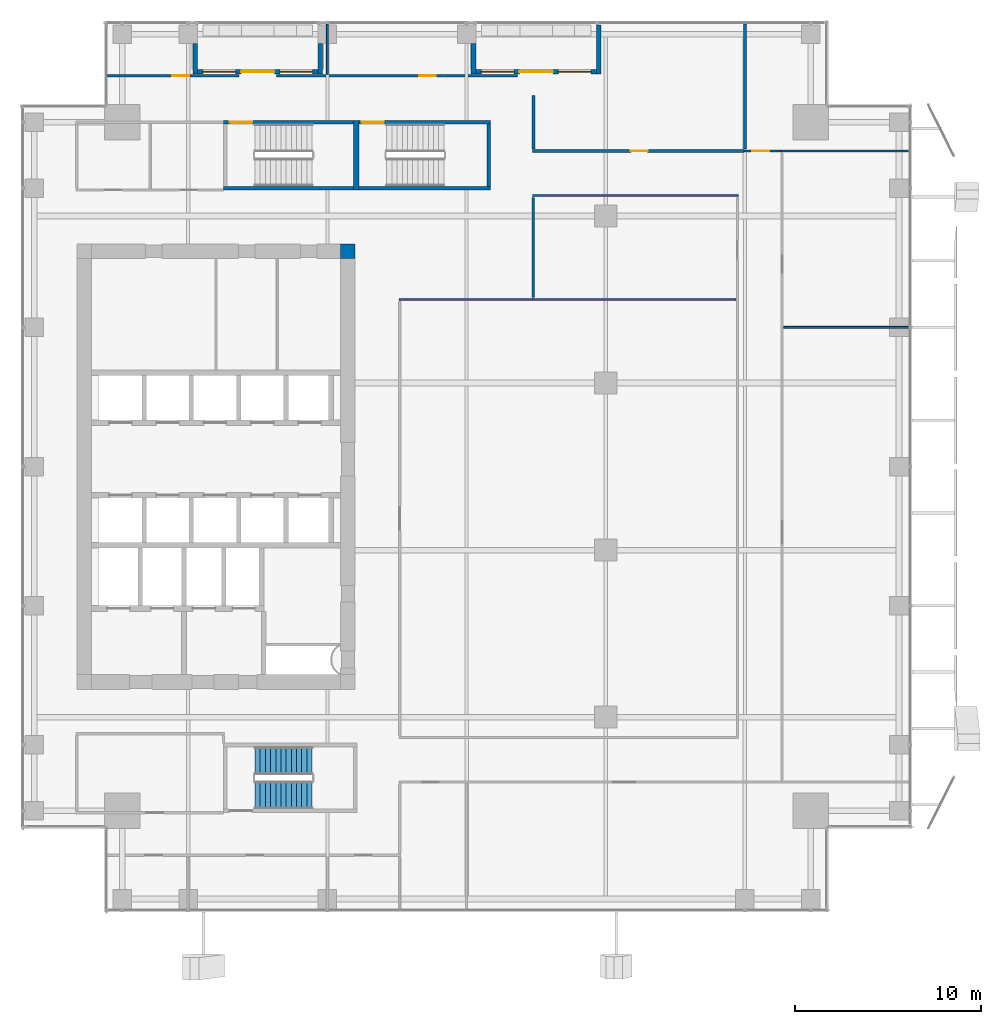
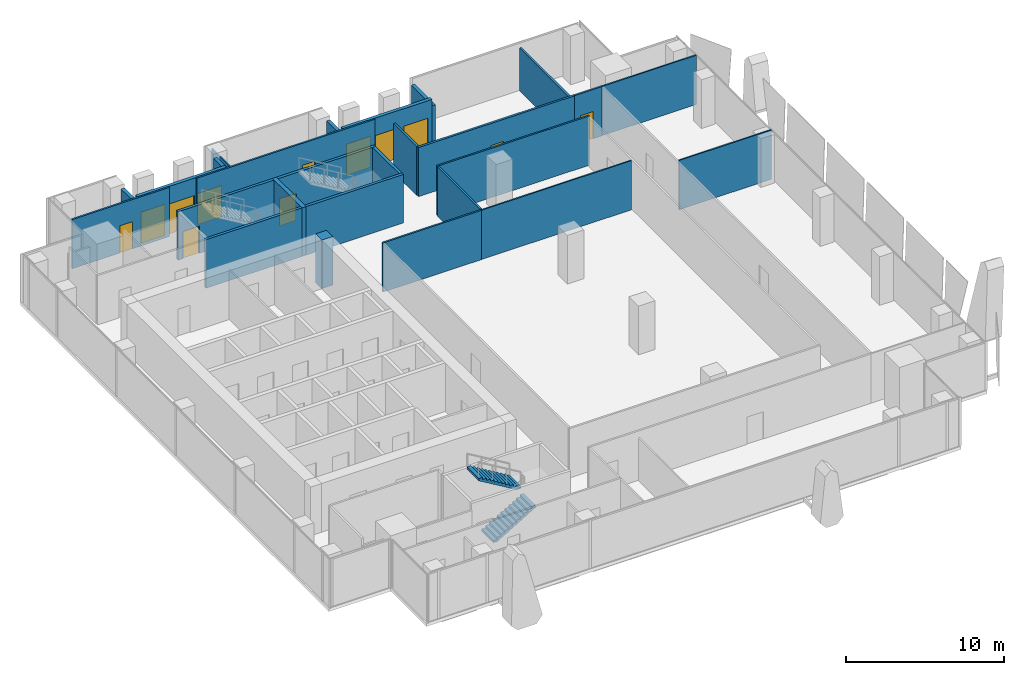
# One storey, part 34 of 38: 26 walls, 8 doors, 4 windows, 2 stair flights, 12 openings, 1 element without a shape of its own.
"""IFC4 building model written with IfcOpenShell, lengths in metres."""

from ifc_helpers import new_model, si_unit, direction, frame, frame_2d, origin, place, context, subcontext, project, spatial, polyline, rectangle, outline, extrude, source, transform, mapped, material, layer, layer_set, type_object, element, fill, aggregate, save


model = new_model("IFC4")

# Units and contexts
model_context = context("Model", 3, precision=1e-05, world=origin(), true_north=direction((0.0, 1.0)))
body_context = subcontext(model_context, "Body", "Model", "MODEL_VIEW")
ifc_project = project(units=[si_unit("LENGTHUNIT", "METRE"), si_unit("AREAUNIT", "SQUARE_METRE"), si_unit("VOLUMEUNIT", "CUBIC_METRE"), si_unit("PLANEANGLEUNIT", "RADIAN"), si_unit("MASSUNIT", "GRAM", prefix="KILO")], contexts=[model_context])

# Site, building, storey
site_placement = place(None, origin())
site = spatial("IfcSite", under=ifc_project, at=site_placement, CompositionType="ELEMENT")
building_placement = place(site_placement, origin())
building = spatial("IfcBuilding", under=site, at=building_placement, Name="Khomas Fold Tower", CompositionType="ELEMENT")
storey_placement = place(building_placement, frame((0.0, 0.0, 208.699951171875)))
storey = spatial("IfcBuildingStorey", under=building, at=storey_placement, Name="L46", CompositionType="ELEMENT", Elevation=208.699951171875)

# Wall
ifc_material_1 = material(Name="Concrete C60/75", Category="concrete")
ifc_layer_1 = layer(ifc_material_1, 0.800048828125)
ifc_layer_set_1 = layer_set([ifc_layer_1], Name="Concrete C60/75")
wall_type_1 = type_object("IfcWallType", Name="Core corner wall 800", PredefinedType="SHEAR", material=ifc_layer_set_1)
shared_shape_1 = source(origin(), body_context, "Body", "SweptSolid", [
    extrude(rectangle(XDim=0.800048828125, YDim=0.800048828125, at=frame_2d((0.39990234375, 0.0))), origin(), (0.0, 0.0, 1.0), 3.75),
])
wall_1_placement = place(storey_placement, frame((20.199951171875, 38.60009765625, 0.0), z_axis=(0.0, 0.0, 1.0), x_axis=(1.0, 0.0, 0.0)))
element("IfcWall", 1, at=wall_1_placement, inside=storey, type_object=wall_type_1, Name="Core wall CW-U-NE-L35", PredefinedType="SHEAR", context=body_context, shape_type="MappedRepresentation", body=[
    mapped(shared_shape_1, transform((0.0, 0.0, 0.0))),
])

# Wall, opening, door
ifc_material_2 = material(Name="Concrete C50/60", Category="concrete")
ifc_layer_2 = layer(ifc_material_2, 0.199951171875)
ifc_layer_set_2 = layer_set([ifc_layer_2], Name="Concrete C50/60")
wall_type_2 = type_object("IfcWallType", Name="Stair wall 200", PredefinedType="SHEAR", material=ifc_layer_set_2)
shared_shape_2 = source(origin(), body_context, "Body", "SweptSolid", [
    extrude(rectangle(XDim=7.0, YDim=0.199951171875, at=frame_2d((3.5, 0.0))), origin(), (0.0, 0.0, 1.0), 3.75),
])
wall_2_placement = place(storey_placement, frame((13.89990234375, 45.550048828125, 0.0), z_axis=(0.0, 0.0, 1.0), x_axis=(1.0, 0.0, 0.0)))
wall_2 = element("IfcWall", 2, at=wall_2_placement, inside=storey, type_object=wall_type_2, Name="Stair wall SW-ST1-N", PredefinedType="SHEAR", context=body_context, shape_type="MappedRepresentation", body=[
    mapped(shared_shape_2, transform((0.0, 0.0, 0.0))),
])
shared_shape_3 = source(origin(), body_context, "Body", "SweptSolid", [
    extrude(rectangle(XDim=1.199951171875, YDim=2.10009765625, at=frame_2d((0.60009765625, 1.050048828125))), frame((0.0, 0.10986328125, 0.0), z_axis=(0.0, -1.0, 0.0), x_axis=(1.0, 0.0, 0.0)), (0.0, 0.0, 1.0), 0.219970703125),
])
opening_1_placement = place(wall_2_placement, frame((0.35009765625, 0.0, 0.0)))
opening_1 = element("IfcOpeningElement", 3, at=opening_1_placement, cuts=wall_2, Name="Opening SD-ST1", PredefinedType="OPENING", context=body_context, shape_type="MappedRepresentation", body=[
    mapped(shared_shape_3, transform((0.0, 0.0, 0.0))),
])
ifc_material_3 = material(Name="Steel door leaf", Category="steel")
door_type_1 = type_object("IfcDoorType", Name="Stair door 1200x2100 left-hand", OperationType="SINGLE_SWING_LEFT", PredefinedType="DOOR", material=ifc_material_3)
shared_shape_4 = source(origin(), body_context, "Body", "SweptSolid", [
    extrude(rectangle(XDim=1.199951171875, YDim=2.10009765625, at=frame_2d((0.60009765625, 1.050048828125))), frame((0.0, 0.02490234375, 0.0), z_axis=(0.0, -1.0, 0.0), x_axis=(1.0, 0.0, 0.0)), (0.0, 0.0, 1.0), 0.050048828125),
])
door_1_placement = place(opening_1_placement, origin())
door_1 = element("IfcDoor", 4, at=door_1_placement, inside=storey, type_object=door_type_1, Name="Stair door", OperationType="SINGLE_SWING_LEFT", OverallHeight=2.10009765625, OverallWidth=1.199951171875, PredefinedType="DOOR", context=body_context, shape_type="MappedRepresentation", body=[
    mapped(shared_shape_4, transform((0.0, 0.0, 0.0))),
])
fill(opening_1, door_1)

# Wall
wall_3_placement = place(storey_placement, frame((13.89990234375, 42.0, 0.0), z_axis=(0.0, 0.0, 1.0), x_axis=(1.0, 0.0, 0.0)))
element("IfcWall", 5, at=wall_3_placement, inside=storey, type_object=wall_type_2, Name="Stair wall SW-ST1-S", PredefinedType="SHEAR", context=body_context, shape_type="MappedRepresentation", body=[
    mapped(shared_shape_2, transform((0.0, 0.0, 0.0))),
])

# Wall, opening, door
shared_shape_5 = source(origin(), body_context, "Body", "SweptSolid", [
    extrude(rectangle(XDim=7.10009765625, YDim=0.199951171875, at=frame_2d((3.550048828125, 0.0))), origin(), (0.0, 0.0, 1.0), 3.75),
])
wall_4_placement = place(storey_placement, frame((21.199951171875, 45.550048828125, 0.0), z_axis=(0.0, 0.0, 1.0), x_axis=(1.0, 0.0, 0.0)))
wall_4 = element("IfcWall", 6, at=wall_4_placement, inside=storey, type_object=wall_type_2, Name="Stair wall SW-ST3-N", PredefinedType="SHEAR", context=body_context, shape_type="MappedRepresentation", body=[
    mapped(shared_shape_5, transform((0.0, 0.0, 0.0))),
])
opening_2_placement = place(wall_4_placement, frame((0.14990234375, 0.0, 0.0)))
opening_2 = element("IfcOpeningElement", 7, at=opening_2_placement, cuts=wall_4, Name="Opening SD-ST3", PredefinedType="OPENING", context=body_context, shape_type="MappedRepresentation", body=[
    mapped(shared_shape_3, transform((0.0, 0.0, 0.0))),
])
door_2_placement = place(opening_2_placement, origin())
door_2 = element("IfcDoor", 8, at=door_2_placement, inside=storey, type_object=door_type_1, Name="Stair door", OperationType="SINGLE_SWING_LEFT", OverallHeight=2.10009765625, OverallWidth=1.199951171875, PredefinedType="DOOR", context=body_context, shape_type="MappedRepresentation", body=[
    mapped(shared_shape_4, transform((0.0, 0.0, 0.0))),
])
fill(opening_2, door_2)

# Walls
wall_5_placement = place(storey_placement, frame((21.199951171875, 42.0, 0.0), z_axis=(0.0, 0.0, 1.0), x_axis=(1.0, 0.0, 0.0)))
element("IfcWall", 9, at=wall_5_placement, inside=storey, type_object=wall_type_2, Name="Stair wall SW-ST3-S", PredefinedType="SHEAR", context=body_context, shape_type="MappedRepresentation", body=[
    mapped(shared_shape_5, transform((0.0, 0.0, 0.0))),
])
ifc_material_4 = material(Name="Concrete C50/60", Category="concrete")
ifc_layer_3 = layer(ifc_material_4, 0.300048828125)
ifc_layer_set_3 = layer_set([ifc_layer_3], Name="Concrete C50/60")
wall_type_3 = type_object("IfcWallType", Name="Stair wall 300", PredefinedType="SHEAR", material=ifc_layer_set_3)
shared_shape_6 = source(origin(), body_context, "Body", "SweptSolid", [
    extrude(rectangle(XDim=3.75, YDim=0.300048828125, at=frame_2d((1.875, 0.0))), origin(), (0.0, 0.0, 1.0), 3.75),
])
wall_6_placement = place(storey_placement, frame((21.050048828125, 41.89990234375, 0.0), z_axis=(0.0, 0.0, 1.0), x_axis=(0.0, 1.0, 0.0)))
element("IfcWall", 10, at=wall_6_placement, inside=storey, type_object=wall_type_3, Name="Stair wall SW-ST1-E", PredefinedType="SHEAR", context=body_context, shape_type="MappedRepresentation", body=[
    mapped(shared_shape_6, transform((0.0, 0.0, 0.0))),
])
shared_shape_7 = source(origin(), body_context, "Body", "SweptSolid", [
    extrude(rectangle(XDim=3.349853515625, YDim=0.199951171875, at=frame_2d((1.6748046875, 0.0))), origin(), (0.0, 0.0, 1.0), 3.75),
])
wall_7_placement = place(storey_placement, frame((28.199951171875, 42.10009765625, 0.0), z_axis=(0.0, 0.0, 1.0), x_axis=(0.0, 1.0, 0.0)))
element("IfcWall", 11, at=wall_7_placement, inside=storey, type_object=wall_type_2, Name="Stair wall SW-ST3-E", PredefinedType="SHEAR", context=body_context, shape_type="MappedRepresentation", body=[
    mapped(shared_shape_7, transform((0.0, 0.0, 0.0))),
])

# Wall, openings, door, windows
ifc_material_5 = material(Name="Natural stone", Category="masonry")
ifc_layer_4 = layer(ifc_material_5, 0.0400390625)
ifc_material_6 = material(Name="Mineral wool insulation", Category="insulation")
ifc_layer_5 = layer(ifc_material_6, 0.10009765625)
ifc_material_7 = material(Name="Masonry", Category="masonry")
ifc_layer_6 = layer(ifc_material_7, 0.110107421875)
ifc_layer_set_4 = layer_set([ifc_layer_4, ifc_layer_5, ifc_layer_6], Name="Stone-faced insulated masonry")
wall_type_4 = type_object("IfcWallType", Name="BL-Balcony wall", PredefinedType="SOLIDWALL", material=ifc_layer_set_4)
shared_shape_8 = source(origin(), body_context, "Body", "SweptSolid", [
    extrude(rectangle(XDim=6.5, YDim=0.25, at=frame_2d((3.25, 0.0))), origin(), (0.0, 0.0, 1.0), 3.75),
])
wall_8_placement = place(storey_placement, frame((12.5, 48.27490234375, 0.0), z_axis=(0.0, 0.0, 1.0), x_axis=(1.0, 0.0, 0.0)))
wall_8 = element("IfcWall", 12, at=wall_8_placement, inside=storey, type_object=wall_type_4, Name="Balcony wall BAL-L46-N1", PredefinedType="SOLIDWALL", context=body_context, shape_type="MappedRepresentation", body=[
    mapped(shared_shape_8, transform((0.0, 0.0, 0.0))),
])
shared_shape_9 = source(origin(), body_context, "Body", "SweptSolid", [
    extrude(rectangle(XDim=1.75, YDim=2.39990234375, at=frame_2d((0.875, 1.199951171875))), frame((0.0, 0.135009765625, 0.0), z_axis=(0.0, -1.0, 0.0), x_axis=(1.0, 0.0, 0.0)), (0.0, 0.0, 1.0), 0.27001953125),
])
opening_3_placement = place(wall_8_placement, frame((0.300048828125, 0.0, 0.0)))
opening_3 = element("IfcOpeningElement", 13, at=opening_3_placement, cuts=wall_8, Name="Opening BL-W3", PredefinedType="OPENING", context=body_context, shape_type="MappedRepresentation", body=[
    mapped(shared_shape_9, transform((0.0, 0.0, 0.0))),
])
opening_4_placement = place(wall_8_placement, frame((4.449951171875, 0.0, 0.0)))
opening_4 = element("IfcOpeningElement", 14, at=opening_4_placement, cuts=wall_8, Name="Opening BL-W3", PredefinedType="OPENING", context=body_context, shape_type="MappedRepresentation", body=[
    mapped(shared_shape_9, transform((0.0, 0.0, 0.0))),
])
shared_shape_10 = source(origin(), body_context, "Body", "SweptSolid", [
    extrude(rectangle(XDim=1.800048828125, YDim=2.39990234375, at=frame_2d((0.89990234375, 1.199951171875))), frame((0.0, 0.135009765625, 0.0), z_axis=(0.0, -1.0, 0.0), x_axis=(1.0, 0.0, 0.0)), (0.0, 0.0, 1.0), 0.27001953125),
])
opening_5_placement = place(wall_8_placement, frame((2.35009765625, 0.0, 0.0)))
opening_5 = element("IfcOpeningElement", 15, at=opening_5_placement, cuts=wall_8, Name="Opening BD461", PredefinedType="OPENING", context=body_context, shape_type="MappedRepresentation", body=[
    mapped(shared_shape_10, transform((0.0, 0.0, 0.0))),
])
ifc_material_8 = material(Name="Aluminium framed double glazing", Category="aluminium")
door_type_2 = type_object("IfcDoorType", Name="BL-Glazed balcony door 1800 x 2400", OperationType="DOUBLE_DOOR_DOUBLE_SWING", PredefinedType="DOOR", material=ifc_material_8)
shared_shape_11 = source(origin(), body_context, "Body", "SweptSolid", [
    extrude(rectangle(XDim=1.800048828125, YDim=2.39990234375, at=frame_2d((0.89990234375, 1.199951171875))), frame((0.0, 0.02490234375, 0.0), z_axis=(0.0, -1.0, 0.0), x_axis=(1.0, 0.0, 0.0)), (0.0, 0.0, 1.0), 0.050048828125),
])
door_3_placement = place(opening_5_placement, origin())
door_3 = element("IfcDoor", 16, at=door_3_placement, inside=storey, type_object=door_type_2, Name="Balcony door BD461", OperationType="DOUBLE_DOOR_DOUBLE_SWING", OverallHeight=2.39990234375, OverallWidth=1.800048828125, PredefinedType="DOOR", context=body_context, shape_type="MappedRepresentation", body=[
    mapped(shared_shape_11, transform((0.0, 0.0, 0.0))),
])
fill(opening_5, door_3)
ifc_material_9 = material(Name="Aluminium framed double glazing", Category="aluminium")
window_type = type_object("IfcWindowType", Name="BL-Fixed glazing 1750 x 2400", PartitioningType="SINGLE_PANEL", PredefinedType="WINDOW", material=ifc_material_9)
shared_shape_12 = source(origin(), body_context, "Body", "SweptSolid", [
    extrude(rectangle(XDim=1.75, YDim=2.39990234375, at=frame_2d((0.875, 1.199951171875))), frame((0.0, 0.030029296875, 0.0), z_axis=(0.0, -1.0, 0.0), x_axis=(1.0, 0.0, 0.0)), (0.0, 0.0, 1.0), 0.06005859375),
])
window_1_placement = place(opening_3_placement, origin())
window_1 = element("IfcWindow", 17, at=window_1_placement, inside=storey, type_object=window_type, Name="Balcony glazing BAL-L46-N1-1", OverallHeight=2.39990234375, OverallWidth=1.75, PartitioningType="SINGLE_PANEL", PredefinedType="WINDOW", context=body_context, shape_type="MappedRepresentation", body=[
    mapped(shared_shape_12, transform((0.0, 0.0, 0.0))),
])
fill(opening_3, window_1)
window_2_placement = place(opening_4_placement, origin())
window_2 = element("IfcWindow", 18, at=window_2_placement, inside=storey, type_object=window_type, Name="Balcony glazing BAL-L46-N1-2", OverallHeight=2.39990234375, OverallWidth=1.75, PartitioningType="SINGLE_PANEL", PredefinedType="WINDOW", context=body_context, shape_type="MappedRepresentation", body=[
    mapped(shared_shape_12, transform((0.0, 0.0, 0.0))),
])
fill(opening_4, window_2)

wall_9_placement = place(storey_placement, frame((27.5, 48.27490234375, 0.0), z_axis=(0.0, 0.0, 1.0), x_axis=(1.0, 0.0, 0.0)))
wall_9 = element("IfcWall", 19, at=wall_9_placement, inside=storey, type_object=wall_type_4, Name="Balcony wall BAL-L46-N3", PredefinedType="SOLIDWALL", context=body_context, shape_type="MappedRepresentation", body=[
    mapped(shared_shape_8, transform((0.0, 0.0, 0.0))),
])
opening_6_placement = place(wall_9_placement, frame((0.300048828125, 0.0, 0.0)))
opening_6 = element("IfcOpeningElement", 20, at=opening_6_placement, cuts=wall_9, Name="Opening BL-W3", PredefinedType="OPENING", context=body_context, shape_type="MappedRepresentation", body=[
    mapped(shared_shape_9, transform((0.0, 0.0, 0.0))),
])
opening_7_placement = place(wall_9_placement, frame((4.449951171875, 0.0, 0.0)))
opening_7 = element("IfcOpeningElement", 21, at=opening_7_placement, cuts=wall_9, Name="Opening BL-W3", PredefinedType="OPENING", context=body_context, shape_type="MappedRepresentation", body=[
    mapped(shared_shape_9, transform((0.0, 0.0, 0.0))),
])
opening_8_placement = place(wall_9_placement, frame((2.35009765625, 0.0, 0.0)))
opening_8 = element("IfcOpeningElement", 22, at=opening_8_placement, cuts=wall_9, Name="Opening BD462", PredefinedType="OPENING", context=body_context, shape_type="MappedRepresentation", body=[
    mapped(shared_shape_10, transform((0.0, 0.0, 0.0))),
])
door_4_placement = place(opening_8_placement, origin())
door_4 = element("IfcDoor", 23, at=door_4_placement, inside=storey, type_object=door_type_2, Name="Balcony door BD462", OperationType="DOUBLE_DOOR_DOUBLE_SWING", OverallHeight=2.39990234375, OverallWidth=1.800048828125, PredefinedType="DOOR", context=body_context, shape_type="MappedRepresentation", body=[
    mapped(shared_shape_11, transform((0.0, 0.0, 0.0))),
])
fill(opening_8, door_4)
window_3_placement = place(opening_6_placement, origin())
window_3 = element("IfcWindow", 24, at=window_3_placement, inside=storey, type_object=window_type, Name="Balcony glazing BAL-L46-N3-1", OverallHeight=2.39990234375, OverallWidth=1.75, PartitioningType="SINGLE_PANEL", PredefinedType="WINDOW", context=body_context, shape_type="MappedRepresentation", body=[
    mapped(shared_shape_12, transform((0.0, 0.0, 0.0))),
])
fill(opening_6, window_3)
window_4_placement = place(opening_7_placement, origin())
window_4 = element("IfcWindow", 25, at=window_4_placement, inside=storey, type_object=window_type, Name="Balcony glazing BAL-L46-N3-2", OverallHeight=2.39990234375, OverallWidth=1.75, PartitioningType="SINGLE_PANEL", PredefinedType="WINDOW", context=body_context, shape_type="MappedRepresentation", body=[
    mapped(shared_shape_12, transform((0.0, 0.0, 0.0))),
])
fill(opening_7, window_4)

# Walls
shared_shape_13 = source(origin(), body_context, "Body", "SweptSolid", [
    extrude(rectangle(XDim=1.650146484375, YDim=0.25, at=frame_2d((0.8251953125, 0.0))), origin(), (0.0, 0.0, 1.0), 3.449951171875),
])
for number, where, z_axis, x_axis, name in (
    (26, (12.375, 49.800048828125, 0.0), (0.0, 0.0, 1.0), (0.0, -1.0, 0.0), "Balcony return wall BAL-L46-N1-lo"),
    (27, (19.125, 49.800048828125, 0.0), (0.0, 0.0, 1.0), (0.0, -1.0, 0.0), "Balcony return wall BAL-L46-N1-hi"),
    (28, (27.375, 49.800048828125, 0.0), (0.0, 0.0, 1.0), (0.0, -1.0, 0.0), "Balcony return wall BAL-L46-N3-lo"),
):
    element("IfcWall", number, at=place(storey_placement, frame(where, z_axis=z_axis, x_axis=x_axis)), inside=storey, type_object=wall_type_4, Name=name, PredefinedType="SOLIDWALL", context=body_context, shape_type="MappedRepresentation", body=[
        mapped(shared_shape_13, transform((0.0, 0.0, 0.0))),
    ])
shared_shape_14 = source(origin(), body_context, "Body", "SweptSolid", [
    extrude(rectangle(XDim=2.650146484375, YDim=0.25, at=frame_2d((1.3251953125, 0.0))), origin(), (0.0, 0.0, 1.0), 3.25),
])
wall_10_placement = place(storey_placement, frame((34.125, 50.800048828125, 0.0), z_axis=(0.0, 0.0, 1.0), x_axis=(0.0, -1.0, 0.0)))
element("IfcWall", 29, at=wall_10_placement, inside=storey, type_object=wall_type_4, Name="Balcony return wall BAL-L46-N3-hi", PredefinedType="SOLIDWALL", context=body_context, shape_type="MappedRepresentation", body=[
    mapped(shared_shape_14, transform((0.0, 0.0, 0.0))),
])
ifc_material_10 = material(Name="Plasterboard partition")
ifc_layer_7 = layer(ifc_material_10, 0.10009765625)
ifc_layer_set_5 = layer_set([ifc_layer_7], Name="Plasterboard partition")
wall_type_5 = type_object("IfcWallType", Name="Partition PW1 100", PredefinedType="PARTITIONING", material=ifc_layer_set_5)
shared_shape_15 = source(origin(), body_context, "Body", "SweptSolid", [
    extrude(rectangle(XDim=2.7001953125, YDim=0.10009765625, at=frame_2d((1.35009765625, 0.0))), origin(), (0.0, 0.0, 1.0), 3.420166015625),
])
wall_11_placement = place(storey_placement, frame((19.5, 48.14990234375, 0.0), z_axis=(0.0, 0.0, 1.0), x_axis=(0.0, 1.0, 0.0)))
element("IfcWall", 30, at=wall_11_placement, inside=storey, type_object=wall_type_5, Name="Partition", PredefinedType="PARTITIONING", context=body_context, shape_type="MappedRepresentation", body=[
    mapped(shared_shape_15, transform((0.0, 0.0, 0.0))),
])
shared_shape_16 = source(origin(), body_context, "Body", "SweptSolid", [
    extrude(rectangle(XDim=6.75, YDim=0.10009765625, at=frame_2d((3.375, 0.0))), origin(), (0.0, 0.0, 1.0), 3.800048828125),
])
wall_12_placement = place(storey_placement, frame((44.10009765625, 34.5, 0.0), z_axis=(0.0, 0.0, 1.0), x_axis=(1.0, 0.0, 0.0)))
element("IfcWall", 31, at=wall_12_placement, inside=storey, type_object=wall_type_5, Name="Partition", PredefinedType="PARTITIONING", context=body_context, shape_type="MappedRepresentation", body=[
    mapped(shared_shape_16, transform((0.0, 0.0, 0.0))),
])

# Wall, opening, door
ifc_material_11 = material(Name="Plasterboard partition")
ifc_layer_8 = layer(ifc_material_11, 0.125)
ifc_layer_set_6 = layer_set([ifc_layer_8], Name="Plasterboard partition")
wall_type_6 = type_object("IfcWallType", Name="Partition PW2 125", PredefinedType="PARTITIONING", material=ifc_layer_set_6)
shared_shape_17 = source(origin(), body_context, "Body", "SweptSolid", [
    extrude(rectangle(XDim=7.10009765625, YDim=0.125, at=frame_2d((3.550048828125, 0.0))), origin(), (0.0, 0.0, 1.0), 3.800048828125),
])
wall_13_placement = place(storey_placement, frame((7.64990234375, 48.050048828125, 0.0), z_axis=(0.0, 0.0, 1.0), x_axis=(1.0, 0.0, 0.0)))
wall_13 = element("IfcWall", 32, at=wall_13_placement, inside=storey, type_object=wall_type_6, Name="Partition", PredefinedType="PARTITIONING", context=body_context, shape_type="MappedRepresentation", body=[
    mapped(shared_shape_17, transform((0.0, 0.0, 0.0))),
])
shared_shape_18 = source(origin(), body_context, "Body", "SweptSolid", [
    extrude(rectangle(XDim=0.89990234375, YDim=2.10009765625, at=frame_2d((0.449951171875, 1.050048828125))), frame((0.0, 0.072509765625, 0.0), z_axis=(0.0, -1.0, 0.0), x_axis=(1.0, 0.0, 0.0)), (0.0, 0.0, 1.0), 0.14501953125),
])
opening_9_placement = place(wall_13_placement, frame((3.5, 0.0, 0.0)))
opening_9 = element("IfcOpeningElement", 33, at=opening_9_placement, cuts=wall_13, Name="Opening 0008", PredefinedType="OPENING", context=body_context, shape_type="MappedRepresentation", body=[
    mapped(shared_shape_18, transform((0.0, 0.0, 0.0))),
])
ifc_material_12 = material(Name="Timber door leaf", Category="wood")
door_type_3 = type_object("IfcDoorType", Name="Door 900x2100 right-hand", OperationType="SINGLE_SWING_RIGHT", PredefinedType="DOOR", material=ifc_material_12)
shared_shape_19 = source(origin(), body_context, "Body", "SweptSolid", [
    extrude(rectangle(XDim=0.89990234375, YDim=2.10009765625, at=frame_2d((0.449951171875, 1.050048828125))), frame((0.0, 0.02490234375, 0.0), z_axis=(0.0, -1.0, 0.0), x_axis=(1.0, 0.0, 0.0)), (0.0, 0.0, 1.0), 0.050048828125),
])
door_5_placement = place(opening_9_placement, origin())
door_5 = element("IfcDoor", 34, at=door_5_placement, inside=storey, type_object=door_type_3, Name="Door", OperationType="SINGLE_SWING_RIGHT", OverallHeight=2.10009765625, OverallWidth=0.89990234375, PredefinedType="DOOR", context=body_context, shape_type="MappedRepresentation", body=[
    mapped(shared_shape_19, transform((0.0, 0.0, 0.0))),
])
fill(opening_9, door_5)

# Walls
shared_shape_20 = source(origin(), body_context, "Body", "SweptSolid", [
    extrude(rectangle(XDim=6.900146484375, YDim=0.10009765625, at=frame_2d((3.4501953125, 0.0))), origin(), (0.0, 0.0, 1.0), 3.800048828125),
])
wall_14_placement = place(storey_placement, frame((43.949951171875, 44.0, 0.0), z_axis=(0.0, 0.0, 1.0), x_axis=(1.0, 0.0, 0.0)))
element("IfcWall", 35, at=wall_14_placement, inside=storey, type_object=wall_type_5, Name="Partition", PredefinedType="PARTITIONING", context=body_context, shape_type="MappedRepresentation", body=[
    mapped(shared_shape_20, transform((0.0, 0.0, 0.0))),
])
shared_shape_21 = source(origin(), body_context, "Body", "SweptSolid", [
    extrude(rectangle(XDim=7.199951171875, YDim=0.125, at=frame_2d((3.60009765625, 0.0))), origin(), (0.0, 0.0, 1.0), 3.800048828125),
])
wall_15_placement = place(storey_placement, frame((23.35009765625, 36.0, 0.0), z_axis=(0.0, 0.0, 1.0), x_axis=(1.0, 0.0, 0.0)))
element("IfcWall", 36, at=wall_15_placement, inside=storey, type_object=wall_type_6, Name="Partition", PredefinedType="PARTITIONING", context=body_context, shape_type="MappedRepresentation", body=[
    mapped(shared_shape_21, transform((0.0, 0.0, 0.0))),
])
shared_shape_22 = source(origin(), body_context, "Body", "SweptSolid", [
    extrude(rectangle(XDim=10.949951171875, YDim=0.10009765625, at=frame_2d((5.47509765625, 0.0))), origin(), (0.0, 0.0, 1.0), 3.800048828125),
])
wall_16_placement = place(storey_placement, frame((30.550048828125, 36.0, 0.0), z_axis=(0.0, 0.0, 1.0), x_axis=(1.0, 0.0, 0.0)))
element("IfcWall", 37, at=wall_16_placement, inside=storey, type_object=wall_type_5, Name="Partition", PredefinedType="PARTITIONING", context=body_context, shape_type="MappedRepresentation", body=[
    mapped(shared_shape_22, transform((0.0, 0.0, 0.0))),
])
shared_shape_23 = source(origin(), body_context, "Body", "SweptSolid", [
    extrude(rectangle(XDim=5.39990234375, YDim=0.125, at=frame_2d((2.699951171875, 0.0))), origin(), (0.0, 0.0, 1.0), 3.800048828125),
])
wall_17_placement = place(storey_placement, frame((30.60009765625, 36.10009765625, 0.0), z_axis=(0.0, 0.0, 1.0), x_axis=(0.0, 1.0, 0.0)))
element("IfcWall", 38, at=wall_17_placement, inside=storey, type_object=wall_type_6, Name="Partition", PredefinedType="PARTITIONING", context=body_context, shape_type="MappedRepresentation", body=[
    mapped(shared_shape_23, transform((0.0, 0.0, 0.0))),
])
shared_shape_24 = source(origin(), body_context, "Body", "SweptSolid", [
    extrude(rectangle(XDim=11.099853515625, YDim=0.125, at=frame_2d((5.5498046875, 0.0))), origin(), (0.0, 0.0, 1.0), 3.800048828125),
])
wall_18_placement = place(storey_placement, frame((30.550048828125, 41.60009765625, 0.0), z_axis=(0.0, 0.0, 1.0), x_axis=(1.0, 0.0, 0.0)))
element("IfcWall", 39, at=wall_18_placement, inside=storey, type_object=wall_type_6, Name="Partition", PredefinedType="PARTITIONING", context=body_context, shape_type="MappedRepresentation", body=[
    mapped(shared_shape_24, transform((0.0, 0.0, 0.0))),
])

# Wall, opening, door
ifc_material_13 = material(Name="Plasterboard fire partition")
ifc_layer_9 = layer(ifc_material_13, 0.14990234375)
ifc_layer_set_7 = layer_set([ifc_layer_9], Name="Plasterboard fire partition")
wall_type_7 = type_object("IfcWallType", Name="Plant room wall PW3 150", PredefinedType="PARTITIONING", material=ifc_layer_set_7)
shared_shape_25 = source(origin(), body_context, "Body", "SweptSolid", [
    extrude(rectangle(XDim=11.39990234375, YDim=0.14990234375, at=frame_2d((5.699951171875, 0.0))), origin(), (0.0, 0.0, 1.0), 3.800048828125),
])
wall_19_placement = place(storey_placement, frame((30.550048828125, 44.0, 0.0), z_axis=(0.0, 0.0, 1.0), x_axis=(1.0, 0.0, 0.0)))
wall_19 = element("IfcWall", 40, at=wall_19_placement, inside=storey, type_object=wall_type_7, Name="Plant room wall", PredefinedType="PARTITIONING", context=body_context, shape_type="MappedRepresentation", body=[
    mapped(shared_shape_25, transform((0.0, 0.0, 0.0))),
])
shared_shape_26 = source(origin(), body_context, "Body", "SweptSolid", [
    extrude(rectangle(XDim=0.89990234375, YDim=2.10009765625, at=frame_2d((0.449951171875, 1.050048828125))), frame((0.0, 0.0849609375, 0.0), z_axis=(0.0, -1.0, 0.0), x_axis=(1.0, 0.0, 0.0)), (0.0, 0.0, 1.0), 0.169921875),
])
opening_10_placement = place(wall_19_placement, frame((5.300048828125, 0.0, 0.0)))
opening_10 = element("IfcOpeningElement", 41, at=opening_10_placement, cuts=wall_19, Name="Opening 0003", PredefinedType="OPENING", context=body_context, shape_type="MappedRepresentation", body=[
    mapped(shared_shape_26, transform((0.0, 0.0, 0.0))),
])
ifc_material_14 = material(Name="Steel door leaf", Category="steel")
door_type_4 = type_object("IfcDoorType", Name="Plant room door 900x2100 right-hand", OperationType="SINGLE_SWING_RIGHT", PredefinedType="DOOR", material=ifc_material_14)
door_6_placement = place(opening_10_placement, origin())
door_6 = element("IfcDoor", 42, at=door_6_placement, inside=storey, type_object=door_type_4, Name="Plant room door", OperationType="SINGLE_SWING_RIGHT", OverallHeight=2.10009765625, OverallWidth=0.89990234375, PredefinedType="DOOR", context=body_context, shape_type="MappedRepresentation", body=[
    mapped(shared_shape_19, transform((0.0, 0.0, 0.0))),
])
fill(opening_10, door_6)

shared_shape_27 = source(origin(), body_context, "Body", "SweptSolid", [
    extrude(rectangle(XDim=2.0, YDim=0.125, at=frame_2d((1.0, 0.0))), origin(), (0.0, 0.0, 1.0), 3.800048828125),
])
wall_20_placement = place(storey_placement, frame((41.949951171875, 44.0, 0.0), z_axis=(0.0, 0.0, 1.0), x_axis=(1.0, 0.0, 0.0)))
wall_20 = element("IfcWall", 43, at=wall_20_placement, inside=storey, type_object=wall_type_6, Name="Partition", PredefinedType="PARTITIONING", context=body_context, shape_type="MappedRepresentation", body=[
    mapped(shared_shape_27, transform((0.0, 0.0, 0.0))),
])
opening_11_placement = place(wall_20_placement, frame((0.449951171875, 0.0, 0.0)))
opening_11 = element("IfcOpeningElement", 44, at=opening_11_placement, cuts=wall_20, Name="Opening 0008", PredefinedType="OPENING", context=body_context, shape_type="MappedRepresentation", body=[
    mapped(shared_shape_18, transform((0.0, 0.0, 0.0))),
])
door_7_placement = place(opening_11_placement, origin())
door_7 = element("IfcDoor", 45, at=door_7_placement, inside=storey, type_object=door_type_3, Name="Door", OperationType="SINGLE_SWING_RIGHT", OverallHeight=2.10009765625, OverallWidth=0.89990234375, PredefinedType="DOOR", context=body_context, shape_type="MappedRepresentation", body=[
    mapped(shared_shape_19, transform((0.0, 0.0, 0.0))),
])
fill(opening_11, door_7)

# Walls
shared_shape_28 = source(origin(), body_context, "Body", "SweptSolid", [
    extrude(rectangle(XDim=2.89990234375, YDim=0.14990234375, at=frame_2d((1.449951171875, 0.0))), origin(), (0.0, 0.0, 1.0), 3.800048828125),
])
wall_21_placement = place(storey_placement, frame((30.60009765625, 44.10009765625, 0.0), z_axis=(0.0, 0.0, 1.0), x_axis=(0.0, 1.0, 0.0)))
element("IfcWall", 46, at=wall_21_placement, inside=storey, type_object=wall_type_7, Name="Plant room wall", PredefinedType="PARTITIONING", context=body_context, shape_type="MappedRepresentation", body=[
    mapped(shared_shape_28, transform((0.0, 0.0, 0.0))),
])
shared_shape_29 = source(origin(), body_context, "Body", "SweptSolid", [
    extrude(rectangle(XDim=6.75, YDim=0.14990234375, at=frame_2d((3.375, 0.0))), origin(), (0.0, 0.0, 1.0), 3.300048828125),
])
wall_22_placement = place(storey_placement, frame((42.0, 44.10009765625, 0.0), z_axis=(0.0, 0.0, 1.0), x_axis=(0.0, 1.0, 0.0)))
element("IfcWall", 47, at=wall_22_placement, inside=storey, type_object=wall_type_7, Name="Plant room wall", PredefinedType="PARTITIONING", context=body_context, shape_type="MappedRepresentation", body=[
    mapped(shared_shape_29, transform((0.0, 0.0, 0.0))),
])

# Wall, opening, door
shared_shape_30 = source(origin(), body_context, "Body", "SweptSolid", [
    extrude(rectangle(XDim=13.0, YDim=0.125, at=frame_2d((6.5, 0.0))), origin(), (0.0, 0.0, 1.0), 3.800048828125),
])
wall_23_placement = place(storey_placement, frame((16.75, 48.050048828125, 0.0), z_axis=(0.0, 0.0, 1.0), x_axis=(1.0, 0.0, 0.0)))
wall_23 = element("IfcWall", 48, at=wall_23_placement, inside=storey, type_object=wall_type_6, Name="Partition", PredefinedType="PARTITIONING", context=body_context, shape_type="MappedRepresentation", body=[
    mapped(shared_shape_30, transform((0.0, 0.0, 0.0))),
])
opening_12_placement = place(wall_23_placement, frame((7.699951171875, 0.0, 0.0)))
opening_12 = element("IfcOpeningElement", 49, at=opening_12_placement, cuts=wall_23, Name="Opening 0008", PredefinedType="OPENING", context=body_context, shape_type="MappedRepresentation", body=[
    mapped(shared_shape_18, transform((0.0, 0.0, 0.0))),
])
door_8_placement = place(opening_12_placement, origin())
door_8 = element("IfcDoor", 50, at=door_8_placement, inside=storey, type_object=door_type_3, Name="Door", OperationType="SINGLE_SWING_RIGHT", OverallHeight=2.10009765625, OverallWidth=0.89990234375, PredefinedType="DOOR", context=body_context, shape_type="MappedRepresentation", body=[
    mapped(shared_shape_19, transform((0.0, 0.0, 0.0))),
])
fill(opening_12, door_8)

# Stair, stair flights
ifc_material_15 = material(Name="Concrete C40/50", Category="concrete")
stair_type = type_object("IfcStairType", Name="Stair ST2", PredefinedType="HALF_TURN_STAIR", material=ifc_material_15)
stair_placement = place(storey_placement, origin())
stair = element("IfcStair", 51, at=stair_placement, inside=storey, type_object=stair_type, Name="L46 ST2", PredefinedType="HALF_TURN_STAIR")
ifc_material_16 = material(Name="Concrete C40/50", Category="concrete")
stair_flight_type = type_object("IfcStairFlightType", Name="Stair flight 1500 ST2", PredefinedType="STRAIGHT", material=ifc_material_16)
shared_shape_31 = source(origin(), body_context, "Body", "SweptSolid", [
    extrude(outline(polyline([(0.0, 0.0), (0.0, 0.012939453125), (0.0, 0.025634765625), (0.0, 0.03857421875), (0.0, 0.05126953125), (0.0, 0.064208984375), (0.0, 0.076904296875), (0.0, 0.08984375), (0.0, 0.1025390625), (0.0, 0.115478515625), (0.0, 0.128173828125), (0.0, 0.14111328125), (0.0, 0.15380859375), (0.0, 0.166748046875), (0.280029296875, 0.166748046875), (0.280029296875, 0.333251953125), (0.56005859375, 0.333251953125), (0.56005859375, 0.5), (0.840087890625, 0.5), (0.840087890625, 0.666748046875), (1.1201171875, 0.666748046875), (1.1201171875, 0.833251953125), (1.39990234375, 0.833251953125), (1.39990234375, 1.0), (1.679931640625, 1.0), (1.679931640625, 1.166748046875), (1.9599609375, 1.166748046875), (1.9599609375, 1.333251953125), (2.239990234375, 1.333251953125), (2.239990234375, 1.5), (2.52001953125, 1.5), (2.52001953125, 1.666748046875), (2.800048828125, 1.666748046875), (2.800048828125, 1.833251953125), (3.080078125, 1.833251953125), (3.080078125, 2.0), (3.080078125, 1.973876953125), (3.080078125, 1.947509765625), (3.080078125, 1.92138671875), (3.080078125, 1.89501953125), (3.080078125, 1.868896484375), (3.080078125, 1.842529296875), (3.080078125, 1.81640625), (3.080078125, 1.7900390625), (3.080078125, 1.763916015625), (3.080078125, 1.737548828125), (3.080078125, 1.71142578125), (3.080078125, 1.68505859375), (3.080078125, 1.658935546875), (0.29296875, 0.0), (0.0, 0.0)])), frame((0.0, 0.75, 0.0), z_axis=(0.0, -1.0, 0.0), x_axis=(1.0, 0.0, 0.0)), (0.0, 0.0, 1.0), 1.5),
])
stair_flight_1_placement = place(storey_placement, frame((15.60009765625, 9.300048828125, 0.0), z_axis=(0.0, 0.0, 1.0), x_axis=(1.0, 0.0, 0.0)))
stair_flight_1 = element("IfcStairFlight", 52, at=stair_flight_1_placement, type_object=stair_flight_type, Name="ST2 flight 1", NumberOfRisers=12, NumberOfTreads=11, PredefinedType="STRAIGHT", RiserHeight=0.166666667, TreadLength=0.28, context=body_context, shape_type="MappedRepresentation", body=[
    mapped(shared_shape_31, transform((0.0, 0.0, 0.0))),
])
stair_flight_2_placement = place(storey_placement, frame((18.679931640625, 11.14990234375, 2.0), z_axis=(0.0, 0.0, 1.0), x_axis=(-1.0, 0.0, 0.0)))
stair_flight_2 = element("IfcStairFlight", 53, at=stair_flight_2_placement, type_object=stair_flight_type, Name="ST2 flight 2", NumberOfRisers=12, NumberOfTreads=11, PredefinedType="STRAIGHT", RiserHeight=0.166666667, TreadLength=0.28, context=body_context, shape_type="MappedRepresentation", body=[
    mapped(shared_shape_31, transform((0.0, 0.0, 0.0))),
])
aggregate(stair, [stair_flight_1, stair_flight_2])

save(model, "model.ifc")
